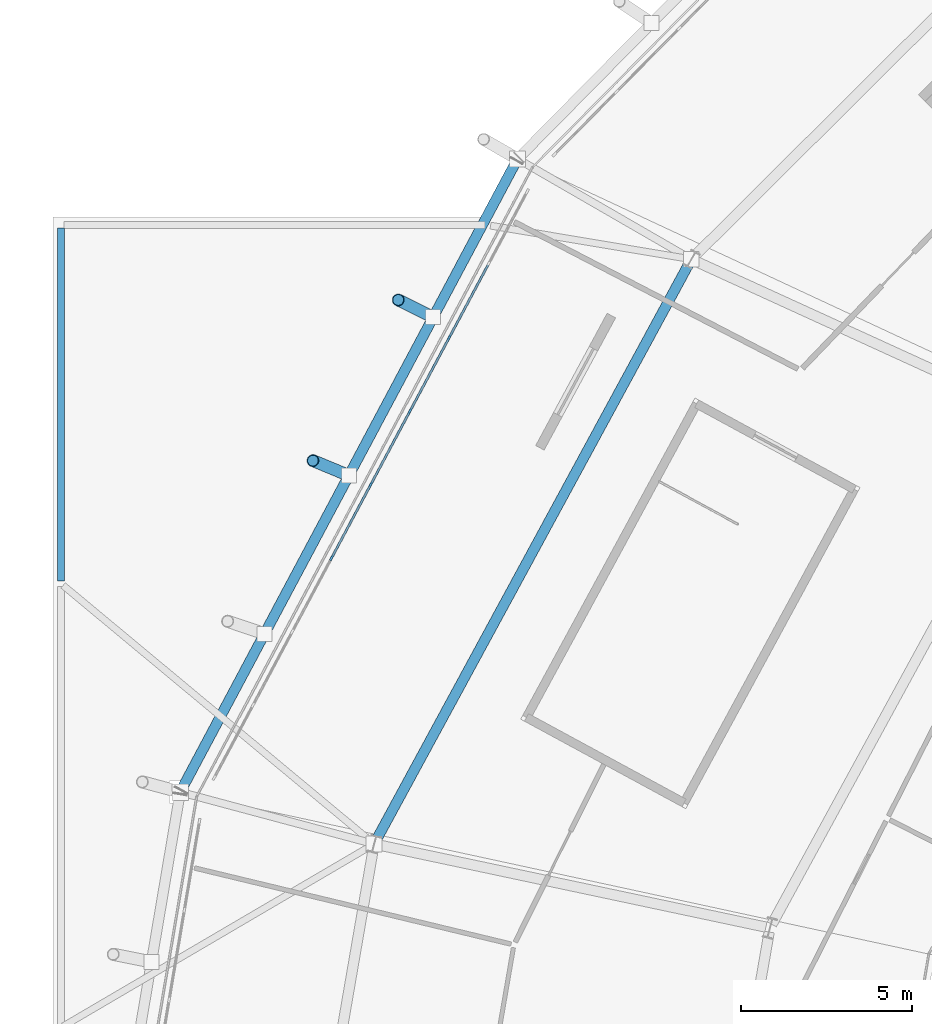
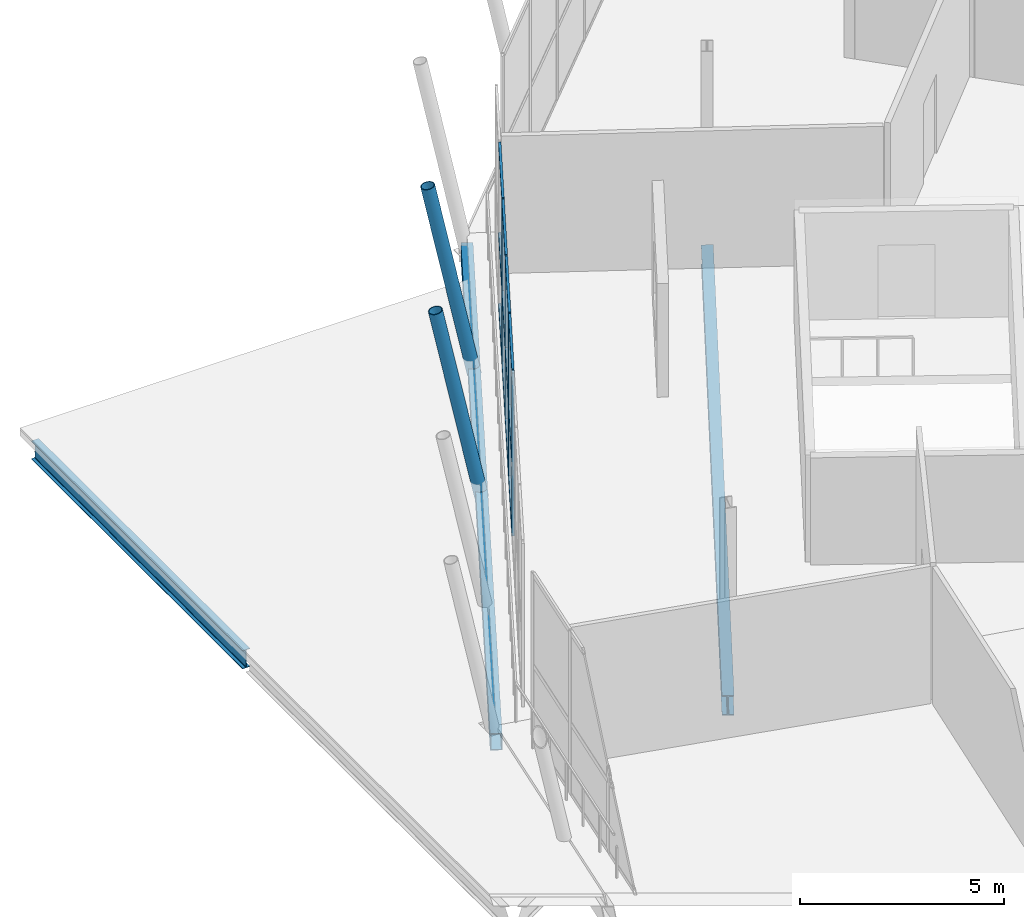
# One storey, part 27 of 99: 18 members, 3 beams, 1 element without a shape of its own.
"""IFC4 building model written with IfcOpenShell, lengths in metres."""

from ifc_helpers import new_model, si_unit, direction, frame, origin, origin_2d, place, context, subcontext, project, spatial, rectangle, hollow_rectangle, hollow_circle, i_section, extrude, material, material_profile, profile_set, type_object, element, aggregate, save


model = new_model("IFC4")

# Units and contexts
model_context = context("Model", 3, precision=1e-05, world=origin(), true_north=direction((0.0, 1.0)))
body_context = subcontext(model_context, "Body", "Model", "MODEL_VIEW")
ifc_project = project(units=[si_unit("LENGTHUNIT", "METRE"), si_unit("AREAUNIT", "SQUARE_METRE"), si_unit("VOLUMEUNIT", "CUBIC_METRE"), si_unit("PLANEANGLEUNIT", "RADIAN"), si_unit("MASSUNIT", "GRAM", prefix="KILO")], contexts=[model_context])

# Site, building, storey
site_placement = place(None, origin())
site = spatial("IfcSite", under=ifc_project, at=site_placement, CompositionType="ELEMENT")
building_placement = place(site_placement, origin())
building = spatial("IfcBuilding", under=site, at=building_placement, Name="Zlatoyarsky Gate Stadium", CompositionType="ELEMENT")
storey_placement = place(building_placement, frame((0.0, 0.0, 26.199951171875)))
storey = spatial("IfcBuildingStorey", under=building, at=storey_placement, Name="L05", CompositionType="ELEMENT", Elevation=26.199951171875)

# Curtain wall, members
ifc_material_1 = material(Name="Thermally broken anodised aluminium curtain wall", Category="aluminium")
curtain_wall_type = type_object("IfcCurtainWallType", Name="UNITISED SKYBOX RING GLAZING L05", PredefinedType="USERDEFINED", material=ifc_material_1)
curtain_wall_placement = place(storey_placement, origin())
curtain_wall = element("IfcCurtainWall", 1, at=curtain_wall_placement, inside=storey, type_object=curtain_wall_type, Name="Curtain wall CW-L05-10", ObjectType="UNITISED GLAZING", PredefinedType="USERDEFINED")
ifc_material_2 = material(Name="Anodised aluminium 6063-T6", Category="aluminium")
ifc_material_profile_1 = material_profile(ifc_material_2, rectangle(XDim=0.06494140625, YDim=0.159912109375, at=origin_2d()), Name="ALU 65X160")
ifc_profile_set_1 = profile_set([ifc_material_profile_1], Name="Anodised aluminium 6063-T6")
member_type_1 = type_object("IfcMemberType", Name="ALUMINIUM MULLION 65X160", PredefinedType="MULLION", material=ifc_profile_set_1)
member_1_placement = place(storey_placement, frame((23.3701171875, 113.209228515625, 0.0), z_axis=(0.0, 0.0, 1.0), x_axis=(0.882166738191, -0.470937199667, 0.0)))
member_1 = element("IfcMember", 2, at=member_1_placement, type_object=member_type_1, Name="CW-UG5 mullion 3", PredefinedType="MULLION", context=body_context, shape_type="SweptSolid", body=[
    extrude(rectangle(XDim=0.06494140625, YDim=0.159912109375, at=origin_2d()), origin(), (0.0, 0.0, 1.0), 4.880126953125),
])
member_2_placement = place(storey_placement, frame((22.220703125, 111.055908203125, 0.0), z_axis=(0.0, 0.0, 1.0), x_axis=(0.882166738191, -0.470937199667, 0.0)))
member_2 = element("IfcMember", 3, at=member_2_placement, type_object=member_type_1, Name="CW-UG5 mullion 4", PredefinedType="MULLION", context=body_context, shape_type="SweptSolid", body=[
    extrude(rectangle(XDim=0.06494140625, YDim=0.159912109375, at=origin_2d()), origin(), (0.0, 0.0, 1.0), 4.880126953125),
])
member_3_placement = place(storey_placement, frame((21.0712890625, 108.902587890625, 0.0), z_axis=(0.0, 0.0, 1.0), x_axis=(0.882166738191, -0.470937199667, 0.0)))
member_3 = element("IfcMember", 4, at=member_3_placement, type_object=member_type_1, Name="CW-UG5 mullion 5", PredefinedType="MULLION", context=body_context, shape_type="SweptSolid", body=[
    extrude(rectangle(XDim=0.06494140625, YDim=0.159912109375, at=origin_2d()), origin(), (0.0, 0.0, 1.0), 4.880126953125),
])
member_4_placement = place(storey_placement, frame((19.921875, 106.74951171875, 0.0), z_axis=(0.0, 0.0, 1.0), x_axis=(0.882166738191, -0.470937199667, 0.0)))
member_4 = element("IfcMember", 5, at=member_4_placement, type_object=member_type_1, Name="CW-UG5 mullion 6", PredefinedType="MULLION", context=body_context, shape_type="SweptSolid", body=[
    extrude(rectangle(XDim=0.06494140625, YDim=0.159912109375, at=origin_2d()), origin(), (0.0, 0.0, 1.0), 4.880126953125),
])
ifc_material_profile_2 = material_profile(ifc_material_2, rectangle(XDim=0.06494140625, YDim=0.139892578125, at=origin_2d()), Name="ALU 65X140")
ifc_profile_set_2 = profile_set([ifc_material_profile_2], Name="Anodised aluminium 6063-T6")
member_type_2 = type_object("IfcMemberType", Name="ALUMINIUM TRANSOM 65X140", PredefinedType="USERDEFINED", material=ifc_profile_set_2)
member_5_placement = place(storey_placement, frame((24.50439453125, 115.333740234375, 0.032470703125), z_axis=(-0.470934870173, -0.882167981767, 0.0), x_axis=(0.882167981767, -0.470934870173, 0.0)))
member_5 = element("IfcMember", 6, at=member_5_placement, type_object=member_type_2, Name="CW-UG5 transom 2.1", ObjectType="TRANSOM", PredefinedType="USERDEFINED", context=body_context, shape_type="SweptSolid", body=[
    extrude(rectangle(XDim=0.06494140625, YDim=0.139892578125, at=origin_2d()), origin(), (0.0, 0.0, 1.0), 2.3759765625),
])
member_6_placement = place(storey_placement, frame((24.50439453125, 115.333740234375, 2.150146484375), z_axis=(-0.470934870173, -0.882167981767, 0.0), x_axis=(0.882167981767, -0.470934870173, 0.0)))
member_6 = element("IfcMember", 7, at=member_6_placement, type_object=member_type_2, Name="CW-UG5 transom 2.2", ObjectType="TRANSOM", PredefinedType="USERDEFINED", context=body_context, shape_type="SweptSolid", body=[
    extrude(rectangle(XDim=0.06494140625, YDim=0.139892578125, at=origin_2d()), origin(), (0.0, 0.0, 1.0), 2.3759765625),
])
member_7_placement = place(storey_placement, frame((24.50439453125, 115.333740234375, 4.84765625), z_axis=(-0.470934870173, -0.882167981767, 0.0), x_axis=(0.882167981767, -0.470934870173, 0.0)))
member_7 = element("IfcMember", 8, at=member_7_placement, type_object=member_type_2, Name="CW-UG5 transom 2.3", ObjectType="TRANSOM", PredefinedType="USERDEFINED", context=body_context, shape_type="SweptSolid", body=[
    extrude(rectangle(XDim=0.06494140625, YDim=0.139892578125, at=origin_2d()), origin(), (0.0, 0.0, 1.0), 2.3759765625),
])
member_8_placement = place(storey_placement, frame((23.35498046875, 113.180419921875, 0.032470703125), z_axis=(-0.470934870173, -0.882167981767, 0.0), x_axis=(0.882167981767, -0.470934870173, 0.0)))
member_8 = element("IfcMember", 9, at=member_8_placement, type_object=member_type_2, Name="CW-UG5 transom 3.1", ObjectType="TRANSOM", PredefinedType="USERDEFINED", context=body_context, shape_type="SweptSolid", body=[
    extrude(rectangle(XDim=0.06494140625, YDim=0.139892578125, at=origin_2d()), origin(), (0.0, 0.0, 1.0), 2.3759765625),
])
member_9_placement = place(storey_placement, frame((23.35498046875, 113.180419921875, 2.150146484375), z_axis=(-0.470934870173, -0.882167981767, 0.0), x_axis=(0.882167981767, -0.470934870173, 0.0)))
member_9 = element("IfcMember", 10, at=member_9_placement, type_object=member_type_2, Name="CW-UG5 transom 3.2", ObjectType="TRANSOM", PredefinedType="USERDEFINED", context=body_context, shape_type="SweptSolid", body=[
    extrude(rectangle(XDim=0.06494140625, YDim=0.139892578125, at=origin_2d()), origin(), (0.0, 0.0, 1.0), 2.3759765625),
])
member_10_placement = place(storey_placement, frame((23.35498046875, 113.180419921875, 4.84765625), z_axis=(-0.470934870173, -0.882167981767, 0.0), x_axis=(0.882167981767, -0.470934870173, 0.0)))
member_10 = element("IfcMember", 11, at=member_10_placement, type_object=member_type_2, Name="CW-UG5 transom 3.3", ObjectType="TRANSOM", PredefinedType="USERDEFINED", context=body_context, shape_type="SweptSolid", body=[
    extrude(rectangle(XDim=0.06494140625, YDim=0.139892578125, at=origin_2d()), origin(), (0.0, 0.0, 1.0), 2.3759765625),
])
member_11_placement = place(storey_placement, frame((22.205322265625, 111.027099609375, 0.032470703125), z_axis=(-0.470897586762, -0.88218788406, 0.0), x_axis=(0.88218788406, -0.470897586762, 0.0)))
member_11 = element("IfcMember", 12, at=member_11_placement, type_object=member_type_2, Name="CW-UG5 transom 4.1", ObjectType="TRANSOM", PredefinedType="USERDEFINED", context=body_context, shape_type="SweptSolid", body=[
    extrude(rectangle(XDim=0.06494140625, YDim=0.139892578125, at=origin_2d()), origin(), (0.0, 0.0, 1.0), 2.37548828125),
])
member_12_placement = place(storey_placement, frame((22.205322265625, 111.027099609375, 2.150146484375), z_axis=(-0.470897586762, -0.88218788406, 0.0), x_axis=(0.88218788406, -0.470897586762, 0.0)))
member_12 = element("IfcMember", 13, at=member_12_placement, type_object=member_type_2, Name="CW-UG5 transom 4.2", ObjectType="TRANSOM", PredefinedType="USERDEFINED", context=body_context, shape_type="SweptSolid", body=[
    extrude(rectangle(XDim=0.06494140625, YDim=0.139892578125, at=origin_2d()), origin(), (0.0, 0.0, 1.0), 2.37548828125),
])
member_13_placement = place(storey_placement, frame((22.205322265625, 111.027099609375, 4.84765625), z_axis=(-0.470897586762, -0.88218788406, 0.0), x_axis=(0.88218788406, -0.470897586762, 0.0)))
member_13 = element("IfcMember", 14, at=member_13_placement, type_object=member_type_2, Name="CW-UG5 transom 4.3", ObjectType="TRANSOM", PredefinedType="USERDEFINED", context=body_context, shape_type="SweptSolid", body=[
    extrude(rectangle(XDim=0.06494140625, YDim=0.139892578125, at=origin_2d()), origin(), (0.0, 0.0, 1.0), 2.37548828125),
])
member_14_placement = place(storey_placement, frame((21.055908203125, 108.8740234375, 0.032470703125), z_axis=(-0.470934870173, -0.882167981767, 0.0), x_axis=(0.882167981767, -0.470934870173, 0.0)))
member_14 = element("IfcMember", 15, at=member_14_placement, type_object=member_type_2, Name="CW-UG5 transom 5.1", ObjectType="TRANSOM", PredefinedType="USERDEFINED", context=body_context, shape_type="SweptSolid", body=[
    extrude(rectangle(XDim=0.06494140625, YDim=0.139892578125, at=origin_2d()), origin(), (0.0, 0.0, 1.0), 2.3759765625),
])
member_15_placement = place(storey_placement, frame((21.055908203125, 108.8740234375, 2.150146484375), z_axis=(-0.470934870173, -0.882167981767, 0.0), x_axis=(0.882167981767, -0.470934870173, 0.0)))
member_15 = element("IfcMember", 16, at=member_15_placement, type_object=member_type_2, Name="CW-UG5 transom 5.2", ObjectType="TRANSOM", PredefinedType="USERDEFINED", context=body_context, shape_type="SweptSolid", body=[
    extrude(rectangle(XDim=0.06494140625, YDim=0.139892578125, at=origin_2d()), origin(), (0.0, 0.0, 1.0), 2.3759765625),
])
member_16_placement = place(storey_placement, frame((21.055908203125, 108.8740234375, 4.84765625), z_axis=(-0.470934870173, -0.882167981767, 0.0), x_axis=(0.882167981767, -0.470934870173, 0.0)))
member_16 = element("IfcMember", 17, at=member_16_placement, type_object=member_type_2, Name="CW-UG5 transom 5.3", ObjectType="TRANSOM", PredefinedType="USERDEFINED", context=body_context, shape_type="SweptSolid", body=[
    extrude(rectangle(XDim=0.06494140625, YDim=0.139892578125, at=origin_2d()), origin(), (0.0, 0.0, 1.0), 2.3759765625),
])
aggregate(curtain_wall, [member_1, member_2, member_3, member_4, member_5, member_6, member_7, member_8, member_9, member_10, member_11, member_12, member_13, member_14, member_15, member_16])

# Beam
ifc_material_3 = material(Name="Steel S355", Category="steel")
ifc_material_profile_3 = material_profile(ifc_material_3, i_section(OverallWidth=0.2099609375, OverallDepth=0.550048828125, WebThickness=0.010986328125, FlangeThickness=0.01708984375, FilletRadius=0.02392578125, at=origin_2d()), Name="IPE 550")
ifc_profile_set_3 = profile_set([ifc_material_profile_3], Name="Steel S355")
beam_type_1 = type_object("IfcBeamType", Name="STEEL FLOOR BEAM IPE 550", PredefinedType="BEAM", material=ifc_profile_set_3)
beam_1_placement = place(storey_placement, frame((12.0, 106.080078125, -0.534912109375), z_axis=(0.0, 1.0, 0.0), x_axis=(-1.0, 0.0, 0.0)))
element("IfcBeam", 18, at=beam_1_placement, inside=storey, type_object=beam_type_1, Name="Beam B-IPE550 BM-L05-WGY-2-K", PredefinedType="BEAM", context=body_context, shape_type="SweptSolid", body=[
    extrude(i_section(OverallWidth=0.2099609375, OverallDepth=0.550048828125, WebThickness=0.010986328125, FlangeThickness=0.01708984375, FilletRadius=0.02392578125, at=origin_2d()), origin(), (0.0, 0.0, 1.0), 10.33984375),
])

# Members
ifc_material_profile_4 = material_profile(ifc_material_3, hollow_circle(Radius=0.177734375, WallThickness=0.02001953125, at=origin_2d()), Name="CHS 355.6X20")
ifc_profile_set_4 = profile_set([ifc_material_profile_4], Name="Steel S355")
member_type_3 = type_object("IfcMemberType", Name="STEEL LEANING RIB RING STRUT CHS 355.6X20", PredefinedType="STRUT", material=ifc_profile_set_4)
member_17_placement = place(storey_placement, frame((22.899658203125, 113.8037109375, -0.510009765625), z_axis=(-0.177369194888, 0.087521867322, 0.980244914011), x_axis=(-0.442504467342, -0.896766299758, 0.0)))
element("IfcMember", 19, at=member_17_placement, inside=storey, type_object=member_type_3, Name="Outward-leaning bowl louvre fin rib L05 10-1", PredefinedType="STRUT", context=body_context, shape_type="SweptSolid", body=[
    extrude(hollow_circle(Radius=0.177734375, WallThickness=0.02001953125, at=origin_2d()), origin(), (0.0, 0.0, 1.0), 5.774169921875),
])
member_18_placement = place(storey_placement, frame((20.43017578125, 109.168212890625, -0.510009765625), z_axis=(-0.182372642512, 0.075562233287, 0.980321665661), x_axis=(-0.382774280043, -0.923841896938, 0.0)))
element("IfcMember", 20, at=member_18_placement, inside=storey, type_object=member_type_3, Name="Outward-leaning bowl louvre fin rib L05 10-2", PredefinedType="STRUT", context=body_context, shape_type="SweptSolid", body=[
    extrude(hollow_circle(Radius=0.177734375, WallThickness=0.02001953125, at=origin_2d()), origin(), (0.0, 0.0, 1.0), 5.773681640625),
])

# Beams
ifc_material_profile_5 = material_profile(ifc_material_3, hollow_rectangle(XDim=0.300048828125, YDim=0.5, WallThickness=0.02001953125, at=origin_2d()), Name="RHS 500X300X20")
ifc_profile_set_5 = profile_set([ifc_material_profile_5], Name="Steel S355")
beam_type_2 = type_object("IfcBeamType", Name="STEEL LOUVRE CARRIER SPANDREL RHS 500X300X20", PredefinedType="SPANDREL", material=ifc_profile_set_5)
beam_2_placement = place(storey_placement, frame((25.359619140625, 118.42138671875, -0.510009765625), z_axis=(-0.470187523568, -0.882566537254, 0.0), x_axis=(0.882566537254, -0.470187523568, 0.0)))
element("IfcBeam", 21, at=beam_2_placement, inside=storey, type_object=beam_type_2, Name="Beam SP-RHS500 BM-L05-SPD-10", PredefinedType="SPANDREL", context=body_context, shape_type="SweptSolid", body=[
    extrude(hollow_rectangle(XDim=0.300048828125, YDim=0.5, WallThickness=0.02001953125, at=origin_2d()), origin(), (0.0, 0.0, 1.0), 20.968505859375),
])
ifc_material_profile_6 = material_profile(ifc_material_3, i_section(OverallWidth=0.300048828125, OverallDepth=0.60009765625, WebThickness=0.015380859375, FlangeThickness=0.030029296875, FilletRadius=0.027099609375, at=origin_2d()), Name="HEB 600")
ifc_profile_set_6 = profile_set([ifc_material_profile_6], Name="Steel S355")
beam_type_3 = type_object("IfcBeamType", Name="STEEL PRIMARY GIRDER HEB 600", PredefinedType="BEAM", material=ifc_profile_set_6)
beam_3_placement = place(storey_placement, frame((30.40234375, 115.39453125, -0.56005859375), z_axis=(-0.476891650323, -0.878962088973, 0.0), x_axis=(0.878962088973, -0.476891650323, 0.0)))
element("IfcBeam", 22, at=beam_3_placement, inside=storey, type_object=beam_type_3, Name="Beam G-HEB600 BM-L05-CRC-10", PredefinedType="BEAM", context=body_context, shape_type="SweptSolid", body=[
    extrude(i_section(OverallWidth=0.300048828125, OverallDepth=0.60009765625, WebThickness=0.015380859375, FlangeThickness=0.030029296875, FilletRadius=0.027099609375, at=origin_2d()), origin(), (0.0, 0.0, 1.0), 19.241943359375),
])

save(model, "model.ifc")
